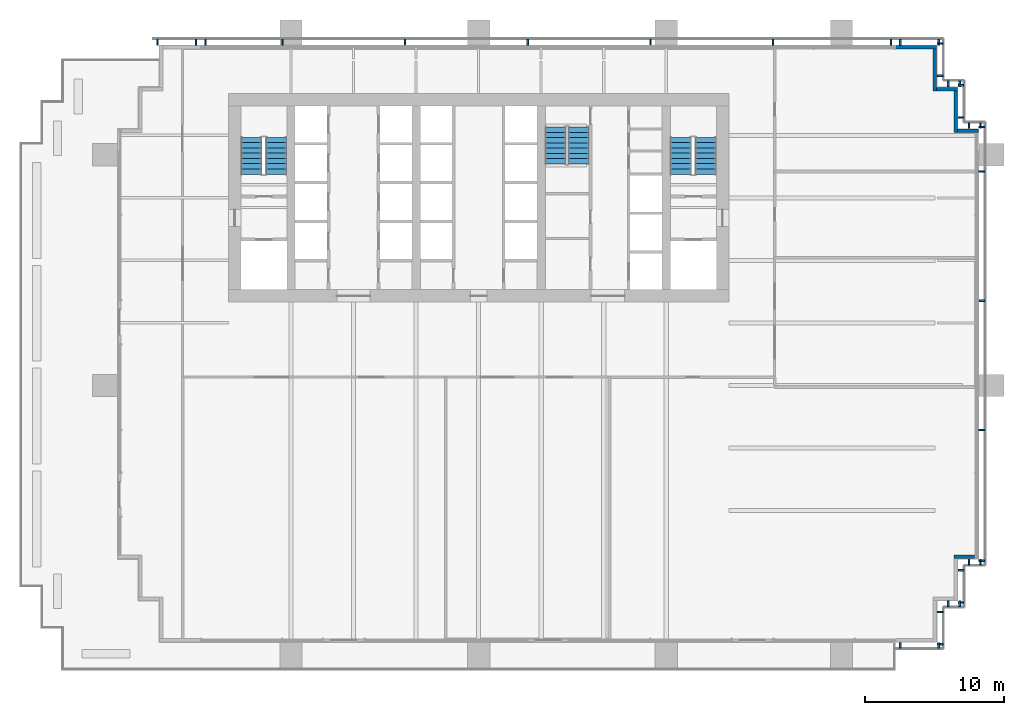
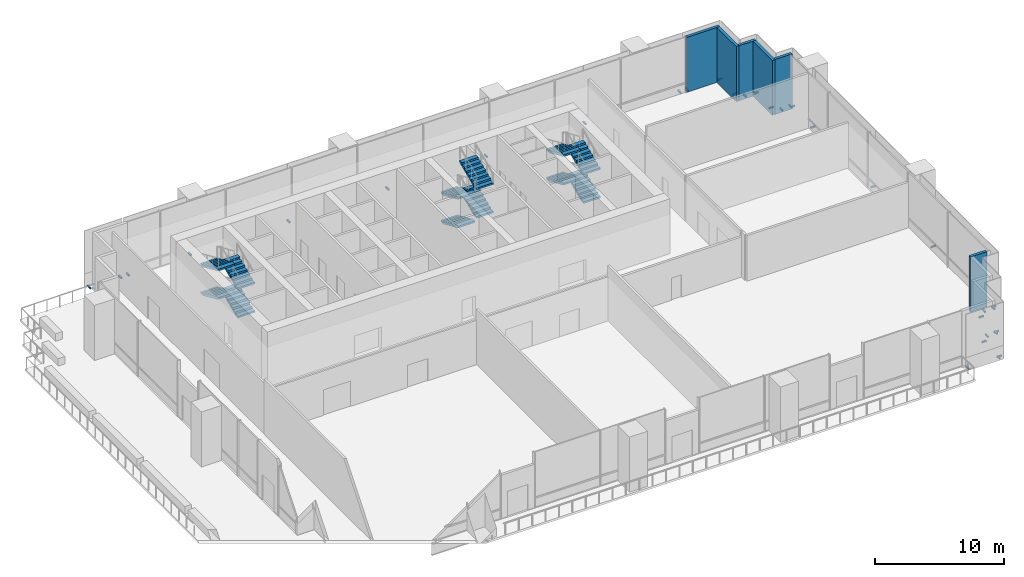
# One storey, part 10 of 15: 34 discrete accessories, 12 stair flights, 6 walls, 3 elements without a shape of their own.
"""IFC4 building model written with IfcOpenShell, lengths in metres."""

import ifcopenshell
import ifcopenshell.guid

model = None  # the IFC model being written
_history = None  # IfcOwnerHistory: only IFC2X3 demands one
_inside = {}  # id of a spatial element -> (the spatial element, [elements in it])
_under = {}  # id of a project, library or spatial element -> (it, [spatial elements below it])
_declared = {}  # id of a project -> (the project, [libraries it declares])
_typed = {}  # id of a type object -> (the type object, [elements of that type])
_made_of = {}  # id of a material, layer set ... -> (it, [elements and type objects made of it])


def new_model(schema):
    """Start an empty IFC model of exactly this schema.

    Asked for "IFC4X3", IfcOpenShell would pick the latest addendum, in which some entities
    have other attributes; the version numbers below select the first issue.
    IFC2X3 requires an IfcOwnerHistory on every rooted entity: one is made here for all.
    """
    global model, _history
    if schema == "IFC4X3":
        model = ifcopenshell.file(schema_version=(4, 3, 0, 0))
    else:
        model = ifcopenshell.file(schema=schema)
    _inside.clear()
    _under.clear()
    _declared.clear()
    _typed.clear()
    _made_of.clear()
    _history = None
    if model.schema == "IFC2X3":
        org = make("IfcOrganization", Name="unknown")
        user = make(
            "IfcPersonAndOrganization",
            ThePerson=make("IfcPerson", FamilyName="unknown"),
            TheOrganization=org,
        )
        app = make(
            "IfcApplication",
            ApplicationDeveloper=org,
            Version="unknown",
            ApplicationFullName="unknown",
            ApplicationIdentifier="unknown",
        )
        _history = make(
            "IfcOwnerHistory",
            OwningUser=user,
            OwningApplication=app,
            ChangeAction="ADDED",
            CreationDate=0,
        )
    return model


def make(cls, **values):
    """One entity of the class cls with the attributes given. An attribute that is None is left unset."""
    return model.create_entity(
        cls, **{name: value for name, value in values.items() if value is not None}
    )


def rooted(cls, **values):
    """An entity with a GlobalId (a new one), such as an element, a storey or a relation."""
    return make(cls, GlobalId=ifcopenshell.guid.new(), OwnerHistory=_history, **values)


def si_unit(unit_type, name, prefix=None):
    """IfcSIUnit, for example si_unit("LENGTHUNIT", "METRE", prefix="MILLI")."""
    return make("IfcSIUnit", UnitType=unit_type, Prefix=prefix, Name=name)


def assignment(units):
    """IfcUnitAssignment: the units of a project."""
    return None if units is None else make("IfcUnitAssignment", Units=units)


def point(xyz):
    """IfcCartesianPoint."""
    return None if xyz is None else make("IfcCartesianPoint", Coordinates=xyz)


def direction(xyz):
    """IfcDirection."""
    return None if xyz is None else make("IfcDirection", DirectionRatios=xyz)


def frame(location, z_axis=None, x_axis=None):
    """IfcAxis2Placement3D, a coordinate frame: its origin and axes. An axis left out is left unset."""
    return make(
        "IfcAxis2Placement3D",
        Location=point(location),
        Axis=direction(z_axis),
        RefDirection=direction(x_axis),
    )


def frame_2d(location, x_axis=None):
    """IfcAxis2Placement2D, a coordinate frame in the plane: its origin and x axis."""
    return make(
        "IfcAxis2Placement2D", Location=point(location), RefDirection=direction(x_axis)
    )


def origin():
    """The frame at (0, 0, 0) with its axes left unset."""
    return frame((0.0, 0.0, 0.0))


def origin_2d():
    """The frame at (0, 0) in the plane with its x axis left unset."""
    return frame_2d((0.0, 0.0))


def place(relative_to, where):
    """IfcLocalPlacement: puts the frame where relative to a parent placement (None: the world)."""
    return make(
        "IfcLocalPlacement", PlacementRelTo=relative_to, RelativePlacement=where
    )


def context(
    kind, dimensions, precision=None, world=None, true_north=None, identifier=None
):
    """IfcGeometricRepresentationContext, for example the 3D "Model" context."""
    return make(
        "IfcGeometricRepresentationContext",
        ContextIdentifier=identifier,
        ContextType=kind,
        CoordinateSpaceDimension=dimensions,
        Precision=precision,
        WorldCoordinateSystem=world,
        TrueNorth=true_north,
    )


def subcontext(parent, identifier, kind, view, scale=None):
    """IfcGeometricRepresentationSubContext, for example "Body" below "Model"."""
    return make(
        "IfcGeometricRepresentationSubContext",
        ContextIdentifier=identifier,
        ContextType=kind,
        ParentContext=parent,
        TargetScale=scale,
        TargetView=view,
    )


def project(units=None, contexts=None):
    """IfcProject with its units and contexts."""
    return rooted(
        "IfcProject",
        Name="project",
        RepresentationContexts=contexts,
        UnitsInContext=assignment(units),
    )


def spatial(cls, under=None, at=None, **own):
    """A site, building, storey or space (cls), placed at a placement, below another one or the project."""
    s = rooted(cls, ObjectPlacement=at, **own)
    if under is not None:
        _under.setdefault(under.id(), (under, []))[1].append(s)
    return s


def polyline(points):
    """IfcPolyline through the points."""
    return make("IfcPolyline", Points=[point(p) for p in points])


def profile(cls, at=None, kind="AREA", **sizes):
    """A parametric profile (cls). Its sizes go by their IFC names, for example OverallWidth=200.0."""
    return make(cls, ProfileType=kind, Position=at, **sizes)


def rectangle(**sizes):
    """IfcRectangleProfileDef."""
    return profile("IfcRectangleProfileDef", **sizes)


def outline(outer, holes=None, kind="AREA"):
    """IfcArbitraryClosedProfileDef: a profile drawn as a closed curve; with holes, ...WithVoids."""
    if holes is None:
        return make("IfcArbitraryClosedProfileDef", ProfileType=kind, OuterCurve=outer)
    return make(
        "IfcArbitraryProfileDefWithVoids",
        ProfileType=kind,
        OuterCurve=outer,
        InnerCurves=holes,
    )


def extrude(swept, where, along, depth):
    """IfcExtrudedAreaSolid: the profile swept, set in the frame where, extruded along a direction by depth."""
    return make(
        "IfcExtrudedAreaSolid",
        SweptArea=swept,
        Position=where,
        ExtrudedDirection=direction(along),
        Depth=depth,
    )


def shape(context_of_items, identifier, shape_type, items):
    """IfcShapeRepresentation: the items that make up one representation, for example the "Body"."""
    return make(
        "IfcShapeRepresentation",
        ContextOfItems=context_of_items,
        RepresentationIdentifier=identifier,
        RepresentationType=shape_type,
        Items=items,
    )


def material(Name=None, Category=None):
    """IfcMaterial."""
    return make("IfcMaterial", Name=Name, Category=Category)


def layer(
    of_material, thickness, ventilated=None, Name=None, Category=None, Priority=None
):
    """IfcMaterialLayer: one layer of a wall or slab, of a material (None: an air gap)."""
    return make(
        "IfcMaterialLayer",
        Material=of_material,
        LayerThickness=thickness,
        IsVentilated=ventilated,
        Name=Name,
        Category=Category,
        Priority=Priority,
    )


def layer_set(layers, Name=None):
    """IfcMaterialLayerSet."""
    return make("IfcMaterialLayerSet", MaterialLayers=layers, LayerSetName=Name)


def made_of(thing, what):
    """Note that an element or type object is made of a material, layer set ...; save() writes the relation."""
    if what is not None:
        _made_of.setdefault(what.id(), (what, []))[1].append(thing)
    return thing


def type_object(cls, material=None, **own):
    """A type object (cls), such as IfcWallType, which elements share."""
    return made_of(rooted(cls, **own), material)


def element(
    cls,
    number,
    at=None,
    inside=None,
    cuts=None,
    type_object=None,
    material=None,
    context=None,
    identifier="Body",
    shape_type=None,
    held_by="IfcProductDefinitionShape",
    body=None,
    shapes=None,
    **own,
):
    """One element of the class cls, such as IfcWall. Its Tag is "e" and its number.

    at: its placement. inside: the storey or other place that contains it. cuts: it is an
    opening in that element (IfcRelVoidsElement). A single representation is given by context,
    identifier, shape_type and body (its items); several are given by shapes. held_by: the class
    of the entity that holds the representations. save() writes the other relations.
    """
    e = rooted(cls, Tag="e%d" % number, ObjectPlacement=at, **own)
    if body is not None:
        shapes = [shape(context, identifier, shape_type, body)]
    if shapes is not None:
        e.Representation = make(held_by, Representations=shapes)
    if inside is not None:
        _inside.setdefault(inside.id(), (inside, []))[1].append(e)
    if cuts is not None:
        rooted(
            "IfcRelVoidsElement", RelatingBuildingElement=cuts, RelatedOpeningElement=e
        )
    if type_object is not None:
        _typed.setdefault(type_object.id(), (type_object, []))[1].append(e)
    return made_of(e, material)


def aggregate(whole, parts):
    """IfcRelAggregates: a whole, such as a stair, and the parts it consists of."""
    return rooted("IfcRelAggregates", RelatingObject=whole, RelatedObjects=parts)


def save(model, path):
    """Write the relations noted so far, then the file.

    IfcRelAggregates (storeys below a building ...), IfcRelContainedInSpatialStructure (elements
    in a storey), IfcRelDefinesByType, IfcRelAssociatesMaterial and IfcRelDeclares: one each for
    every whole, place, type object, material and project.
    """
    for whole, parts in _under.values():
        aggregate(whole, parts)
    for where, things in _inside.values():
        rooted(
            "IfcRelContainedInSpatialStructure",
            RelatedElements=things,
            RelatingStructure=where,
        )
    for kind, things in _typed.values():
        rooted("IfcRelDefinesByType", RelatedObjects=things, RelatingType=kind)
    for what, things in _made_of.values():
        rooted("IfcRelAssociatesMaterial", RelatedObjects=things, RelatingMaterial=what)
    for by, libraries in _declared.values():
        rooted("IfcRelDeclares", RelatingContext=by, RelatedDefinitions=libraries)
    model.write(path)


model = new_model("IFC4")

# Units and contexts
model_context = context("Model", 3, precision=1e-05, world=origin(), true_north=direction((0.0, 1.0)))
body_context = subcontext(model_context, "Body", "Model", "MODEL_VIEW")
ifc_project = project(units=[si_unit("LENGTHUNIT", "METRE"), si_unit("AREAUNIT", "SQUARE_METRE"), si_unit("VOLUMEUNIT", "CUBIC_METRE"), si_unit("PLANEANGLEUNIT", "RADIAN"), si_unit("MASSUNIT", "GRAM", prefix="KILO")], contexts=[model_context])

# Site, building, storey
site_placement = place(None, origin())
site = spatial("IfcSite", under=ifc_project, at=site_placement, CompositionType="ELEMENT")
building_placement = place(site_placement, origin())
building = spatial("IfcBuilding", under=site, at=building_placement, Name="Rattan Terrace Tower", CompositionType="ELEMENT")
storey_placement = place(building_placement, frame((0.0, 0.0, 74.300048828125)))
storey = spatial("IfcBuildingStorey", under=building, at=storey_placement, Name="L16", CompositionType="ELEMENT", Elevation=74.300048828125)

# Walls
ifc_material_1 = material(Name="Insulated aluminium-clad stud wall", Category="aluminium")
ifc_layer = layer(ifc_material_1, 0.25)
ifc_layer_set = layer_set([ifc_layer], Name="Facade Riser Wall 250")
wall_type = type_object("IfcWallType", Name="Facade Riser Wall 250", PredefinedType="SOLIDWALL", material=ifc_layer_set)
wall_1_placement = place(storey_placement, frame((34.205078125, -25.830078125, 0.0), z_axis=(0.0, 0.0, 1.0), x_axis=(1.0, 0.0, 0.0)))
element("IfcWall", 1, at=wall_1_placement, inside=storey, type_object=wall_type, Name="Riser wall L16-5", PredefinedType="SOLIDWALL", context=body_context, shape_type="SweptSolid", body=[
    extrude(rectangle(XDim=1.474853515625, YDim=0.25, at=frame_2d((0.7373046875, 0.0))), origin(), (0.0, 0.0, 1.0), 5.199951171875),
])
wall_2_placement = place(storey_placement, frame((35.97998046875, 4.830078125, 0.0), z_axis=(0.0, 0.0, 1.0), x_axis=(-1.0, 0.0, 0.0)))
element("IfcWall", 2, at=wall_2_placement, inside=storey, type_object=wall_type, Name="Riser wall L16-6", PredefinedType="SOLIDWALL", context=body_context, shape_type="SweptSolid", body=[
    extrude(rectangle(XDim=1.52490234375, YDim=0.25, at=frame_2d((0.762451171875, 0.0))), origin(), (0.0, 0.0, 1.0), 5.199951171875),
])
wall_3_placement = place(storey_placement, frame((34.330078125, 4.705078125, 0.0), z_axis=(0.0, 0.0, 1.0), x_axis=(0.0, 1.0, 0.0)))
element("IfcWall", 3, at=wall_3_placement, inside=storey, type_object=wall_type, Name="Riser wall L16-7", PredefinedType="SOLIDWALL", context=body_context, shape_type="SweptSolid", body=[
    extrude(rectangle(XDim=3.0, YDim=0.25, at=frame_2d((1.5, 0.0))), origin(), (0.0, 0.0, 1.0), 5.199951171875),
])
wall_4_placement = place(storey_placement, frame((34.455078125, 7.830078125, 0.0), z_axis=(0.0, 0.0, 1.0), x_axis=(-1.0, 0.0, 0.0)))
element("IfcWall", 4, at=wall_4_placement, inside=storey, type_object=wall_type, Name="Riser wall L16-8", PredefinedType="SOLIDWALL", context=body_context, shape_type="SweptSolid", body=[
    extrude(rectangle(XDim=1.5, YDim=0.25, at=frame_2d((0.75, 0.0))), origin(), (0.0, 0.0, 1.0), 5.199951171875),
])
wall_5_placement = place(storey_placement, frame((32.830078125, 7.705078125, 0.0), z_axis=(0.0, 0.0, 1.0), x_axis=(0.0, 1.0, 0.0)))
element("IfcWall", 5, at=wall_5_placement, inside=storey, type_object=wall_type, Name="Riser wall L16-9", PredefinedType="SOLIDWALL", context=body_context, shape_type="SweptSolid", body=[
    extrude(rectangle(XDim=3.0, YDim=0.25, at=frame_2d((1.5, 0.0))), origin(), (0.0, 0.0, 1.0), 5.199951171875),
])
wall_6_placement = place(storey_placement, frame((32.955078125, 10.830078125, 0.0), z_axis=(0.0, 0.0, 1.0), x_axis=(-1.0, 0.0, 0.0)))
element("IfcWall", 6, at=wall_6_placement, inside=storey, type_object=wall_type, Name="Riser wall L16-10", PredefinedType="SOLIDWALL", context=body_context, shape_type="SweptSolid", body=[
    extrude(rectangle(XDim=2.955078125, YDim=0.25, at=frame_2d((1.4775390625, 0.0))), origin(), (0.0, 0.0, 1.0), 5.199951171875),
])

# Stair, stair flights
ifc_material_2 = material(Name="Concrete C40/50", Category="concrete")
stair_type = type_object("IfcStairType", Name="Core exit stair 1500", PredefinedType="HALF_TURN_STAIR", material=ifc_material_2)
stair_1_placement = place(storey_placement, origin())
stair_1 = element("IfcStair", 7, at=stair_1_placement, inside=storey, type_object=stair_type, Name="L16 exit stair 1", PredefinedType="HALF_TURN_STAIR")
ifc_material_3 = material(Name="Concrete C40/50", Category="concrete")
stair_flight_type = type_object("IfcStairFlightType", Name="Core exit stair flight 1500", PredefinedType="STRAIGHT", material=ifc_material_3)
stair_flight_1_placement = place(storey_placement, frame((-14.550048828125, 1.699951171875, 0.0), z_axis=(0.0, 0.0, 1.0), x_axis=(0.0, 1.0, 0.0)))
stair_flight_1 = element("IfcStairFlight", 8, at=stair_flight_1_placement, type_object=stair_flight_type, Name="S1 flight 1", NumberOfRisers=8, NumberOfTreads=7, PredefinedType="STRAIGHT", RiserHeight=0.16875, TreadLength=0.38, context=body_context, shape_type="SweptSolid", body=[
    extrude(outline(polyline([(0.0, 0.0), (0.0, 0.168701171875), (0.3798828125, 0.168701171875), (0.3798828125, 0.33740234375), (0.760009765625, 0.33740234375), (0.760009765625, 0.50634765625), (1.139892578125, 0.50634765625), (1.139892578125, 0.675048828125), (1.52001953125, 0.675048828125), (1.52001953125, 0.84375), (1.89990234375, 0.84375), (1.89990234375, 1.012451171875), (2.280029296875, 1.012451171875), (2.280029296875, 1.18115234375), (2.659912109375, 1.18115234375), (2.659912109375, 1.35009765625), (2.659912109375, 1.017333984375), (0.369384765625, 0.0), (0.0, 0.0)])), frame((0.0, 0.75, 0.0), z_axis=(0.0, -1.0, 0.0), x_axis=(1.0, 0.0, 0.0)), (0.0, 0.0, 1.0), 1.5),
])
stair_flight_2_placement = place(storey_placement, frame((-16.35009765625, 4.360107421875, 1.349853515625), z_axis=(0.0, 0.0, 1.0), x_axis=(0.0, -1.0, 0.0)))
stair_flight_2 = element("IfcStairFlight", 9, at=stair_flight_2_placement, type_object=stair_flight_type, Name="S1 flight 2", NumberOfRisers=8, NumberOfTreads=7, PredefinedType="STRAIGHT", RiserHeight=0.16875, TreadLength=0.38, context=body_context, shape_type="SweptSolid", body=[
    extrude(outline(polyline([(0.0, 0.0), (0.0, 0.168701171875), (0.3798828125, 0.168701171875), (0.3798828125, 0.33740234375), (0.760009765625, 0.33740234375), (0.760009765625, 0.50634765625), (1.139892578125, 0.50634765625), (1.139892578125, 0.675048828125), (1.52001953125, 0.675048828125), (1.52001953125, 0.84375), (1.89990234375, 0.84375), (1.89990234375, 1.012451171875), (2.280029296875, 1.012451171875), (2.280029296875, 1.18115234375), (2.659912109375, 1.18115234375), (2.659912109375, 1.35009765625), (2.659912109375, 1.017333984375), (0.369384765625, 0.0), (0.0, 0.0)])), frame((0.0, 0.75, 0.0), z_axis=(0.0, -1.0, 0.0), x_axis=(1.0, 0.0, 0.0)), (0.0, 0.0, 1.0), 1.5),
])
stair_flight_3_placement = place(storey_placement, frame((-14.550048828125, 1.699951171875, 2.699951171875), z_axis=(0.0, 0.0, 1.0), x_axis=(0.0, 1.0, 0.0)))
stair_flight_3 = element("IfcStairFlight", 10, at=stair_flight_3_placement, type_object=stair_flight_type, Name="S1 flight 3", NumberOfRisers=8, NumberOfTreads=7, PredefinedType="STRAIGHT", RiserHeight=0.16875, TreadLength=0.38, context=body_context, shape_type="SweptSolid", body=[
    extrude(outline(polyline([(0.0, 0.0), (0.0, 0.168701171875), (0.3798828125, 0.168701171875), (0.3798828125, 0.33740234375), (0.760009765625, 0.33740234375), (0.760009765625, 0.50634765625), (1.139892578125, 0.50634765625), (1.139892578125, 0.675048828125), (1.52001953125, 0.675048828125), (1.52001953125, 0.84375), (1.89990234375, 0.84375), (1.89990234375, 1.012451171875), (2.280029296875, 1.012451171875), (2.280029296875, 1.18115234375), (2.659912109375, 1.18115234375), (2.659912109375, 1.35009765625), (2.659912109375, 1.017333984375), (0.369384765625, 0.0), (0.0, 0.0)])), frame((0.0, 0.75, 0.0), z_axis=(0.0, -1.0, 0.0), x_axis=(1.0, 0.0, 0.0)), (0.0, 0.0, 1.0), 1.5),
])
stair_flight_4_placement = place(storey_placement, frame((-16.35009765625, 4.360107421875, 4.050048828125), z_axis=(0.0, 0.0, 1.0), x_axis=(0.0, -1.0, 0.0)))
stair_flight_4 = element("IfcStairFlight", 11, at=stair_flight_4_placement, type_object=stair_flight_type, Name="S1 flight 4", NumberOfRisers=8, NumberOfTreads=7, PredefinedType="STRAIGHT", RiserHeight=0.16875, TreadLength=0.38, context=body_context, shape_type="SweptSolid", body=[
    extrude(outline(polyline([(0.0, 0.0), (0.0, 0.168701171875), (0.3798828125, 0.168701171875), (0.3798828125, 0.33740234375), (0.760009765625, 0.33740234375), (0.760009765625, 0.50634765625), (1.139892578125, 0.50634765625), (1.139892578125, 0.675048828125), (1.52001953125, 0.675048828125), (1.52001953125, 0.84375), (1.89990234375, 0.84375), (1.89990234375, 1.012451171875), (2.280029296875, 1.012451171875), (2.280029296875, 1.18115234375), (2.659912109375, 1.18115234375), (2.659912109375, 1.35009765625), (2.659912109375, 1.017333984375), (0.369384765625, 0.0), (0.0, 0.0)])), frame((0.0, 0.75, 0.0), z_axis=(0.0, -1.0, 0.0), x_axis=(1.0, 0.0, 0.0)), (0.0, 0.0, 1.0), 1.5),
])
aggregate(stair_1, [stair_flight_1, stair_flight_2, stair_flight_3, stair_flight_4])

stair_2_placement = place(storey_placement, origin())
stair_2 = element("IfcStair", 12, at=stair_2_placement, inside=storey, type_object=stair_type, Name="L16 exit stair 2", PredefinedType="HALF_TURN_STAIR")
stair_flight_5_placement = place(storey_placement, frame((16.35009765625, 1.699951171875, 0.0), z_axis=(0.0, 0.0, 1.0), x_axis=(0.0, 1.0, 0.0)))
stair_flight_5 = element("IfcStairFlight", 13, at=stair_flight_5_placement, type_object=stair_flight_type, Name="S2 flight 1", NumberOfRisers=8, NumberOfTreads=7, PredefinedType="STRAIGHT", RiserHeight=0.16875, TreadLength=0.38, context=body_context, shape_type="SweptSolid", body=[
    extrude(outline(polyline([(0.0, 0.0), (0.0, 0.168701171875), (0.3798828125, 0.168701171875), (0.3798828125, 0.33740234375), (0.760009765625, 0.33740234375), (0.760009765625, 0.50634765625), (1.139892578125, 0.50634765625), (1.139892578125, 0.675048828125), (1.52001953125, 0.675048828125), (1.52001953125, 0.84375), (1.89990234375, 0.84375), (1.89990234375, 1.012451171875), (2.280029296875, 1.012451171875), (2.280029296875, 1.18115234375), (2.659912109375, 1.18115234375), (2.659912109375, 1.35009765625), (2.659912109375, 1.017333984375), (0.369384765625, 0.0), (0.0, 0.0)])), frame((0.0, 0.75, 0.0), z_axis=(0.0, -1.0, 0.0), x_axis=(1.0, 0.0, 0.0)), (0.0, 0.0, 1.0), 1.5),
])
stair_flight_6_placement = place(storey_placement, frame((14.550048828125, 4.360107421875, 1.349853515625), z_axis=(0.0, 0.0, 1.0), x_axis=(0.0, -1.0, 0.0)))
stair_flight_6 = element("IfcStairFlight", 14, at=stair_flight_6_placement, type_object=stair_flight_type, Name="S2 flight 2", NumberOfRisers=8, NumberOfTreads=7, PredefinedType="STRAIGHT", RiserHeight=0.16875, TreadLength=0.38, context=body_context, shape_type="SweptSolid", body=[
    extrude(outline(polyline([(0.0, 0.0), (0.0, 0.168701171875), (0.3798828125, 0.168701171875), (0.3798828125, 0.33740234375), (0.760009765625, 0.33740234375), (0.760009765625, 0.50634765625), (1.139892578125, 0.50634765625), (1.139892578125, 0.675048828125), (1.52001953125, 0.675048828125), (1.52001953125, 0.84375), (1.89990234375, 0.84375), (1.89990234375, 1.012451171875), (2.280029296875, 1.012451171875), (2.280029296875, 1.18115234375), (2.659912109375, 1.18115234375), (2.659912109375, 1.35009765625), (2.659912109375, 1.017333984375), (0.369384765625, 0.0), (0.0, 0.0)])), frame((0.0, 0.75, 0.0), z_axis=(0.0, -1.0, 0.0), x_axis=(1.0, 0.0, 0.0)), (0.0, 0.0, 1.0), 1.5),
])
stair_flight_7_placement = place(storey_placement, frame((16.35009765625, 1.699951171875, 2.699951171875), z_axis=(0.0, 0.0, 1.0), x_axis=(0.0, 1.0, 0.0)))
stair_flight_7 = element("IfcStairFlight", 15, at=stair_flight_7_placement, type_object=stair_flight_type, Name="S2 flight 3", NumberOfRisers=8, NumberOfTreads=7, PredefinedType="STRAIGHT", RiserHeight=0.16875, TreadLength=0.38, context=body_context, shape_type="SweptSolid", body=[
    extrude(outline(polyline([(0.0, 0.0), (0.0, 0.168701171875), (0.3798828125, 0.168701171875), (0.3798828125, 0.33740234375), (0.760009765625, 0.33740234375), (0.760009765625, 0.50634765625), (1.139892578125, 0.50634765625), (1.139892578125, 0.675048828125), (1.52001953125, 0.675048828125), (1.52001953125, 0.84375), (1.89990234375, 0.84375), (1.89990234375, 1.012451171875), (2.280029296875, 1.012451171875), (2.280029296875, 1.18115234375), (2.659912109375, 1.18115234375), (2.659912109375, 1.35009765625), (2.659912109375, 1.017333984375), (0.369384765625, 0.0), (0.0, 0.0)])), frame((0.0, 0.75, 0.0), z_axis=(0.0, -1.0, 0.0), x_axis=(1.0, 0.0, 0.0)), (0.0, 0.0, 1.0), 1.5),
])
stair_flight_8_placement = place(storey_placement, frame((14.550048828125, 4.360107421875, 4.050048828125), z_axis=(0.0, 0.0, 1.0), x_axis=(0.0, -1.0, 0.0)))
stair_flight_8 = element("IfcStairFlight", 16, at=stair_flight_8_placement, type_object=stair_flight_type, Name="S2 flight 4", NumberOfRisers=8, NumberOfTreads=7, PredefinedType="STRAIGHT", RiserHeight=0.16875, TreadLength=0.38, context=body_context, shape_type="SweptSolid", body=[
    extrude(outline(polyline([(0.0, 0.0), (0.0, 0.168701171875), (0.3798828125, 0.168701171875), (0.3798828125, 0.33740234375), (0.760009765625, 0.33740234375), (0.760009765625, 0.50634765625), (1.139892578125, 0.50634765625), (1.139892578125, 0.675048828125), (1.52001953125, 0.675048828125), (1.52001953125, 0.84375), (1.89990234375, 0.84375), (1.89990234375, 1.012451171875), (2.280029296875, 1.012451171875), (2.280029296875, 1.18115234375), (2.659912109375, 1.18115234375), (2.659912109375, 1.35009765625), (2.659912109375, 1.017333984375), (0.369384765625, 0.0), (0.0, 0.0)])), frame((0.0, 0.75, 0.0), z_axis=(0.0, -1.0, 0.0), x_axis=(1.0, 0.0, 0.0)), (0.0, 0.0, 1.0), 1.5),
])
aggregate(stair_2, [stair_flight_5, stair_flight_6, stair_flight_7, stair_flight_8])

stair_3_placement = place(storey_placement, origin())
stair_3 = element("IfcStair", 17, at=stair_3_placement, inside=storey, type_object=stair_type, Name="L16 exit stair 3", PredefinedType="HALF_TURN_STAIR")
stair_flight_9_placement = place(storey_placement, frame((5.550048828125, 5.10009765625, 0.0), z_axis=(0.0, 0.0, 1.0), x_axis=(0.0, -1.0, 0.0)))
stair_flight_9 = element("IfcStairFlight", 18, at=stair_flight_9_placement, type_object=stair_flight_type, Name="S3 flight 1", NumberOfRisers=8, NumberOfTreads=7, PredefinedType="STRAIGHT", RiserHeight=0.16875, TreadLength=0.38, context=body_context, shape_type="SweptSolid", body=[
    extrude(outline(polyline([(0.0, 0.0), (0.0, 0.168701171875), (0.3798828125, 0.168701171875), (0.3798828125, 0.33740234375), (0.760009765625, 0.33740234375), (0.760009765625, 0.50634765625), (1.139892578125, 0.50634765625), (1.139892578125, 0.675048828125), (1.52001953125, 0.675048828125), (1.52001953125, 0.84375), (1.89990234375, 0.84375), (1.89990234375, 1.012451171875), (2.280029296875, 1.012451171875), (2.280029296875, 1.18115234375), (2.659912109375, 1.18115234375), (2.659912109375, 1.35009765625), (2.659912109375, 1.017333984375), (0.369384765625, 0.0), (0.0, 0.0)])), frame((0.0, 0.75, 0.0), z_axis=(0.0, -1.0, 0.0), x_axis=(1.0, 0.0, 0.0)), (0.0, 0.0, 1.0), 1.5),
])
stair_flight_10_placement = place(storey_placement, frame((7.199951171875, 2.43994140625, 1.349853515625), z_axis=(0.0, 0.0, 1.0), x_axis=(0.0, 1.0, 0.0)))
stair_flight_10 = element("IfcStairFlight", 19, at=stair_flight_10_placement, type_object=stair_flight_type, Name="S3 flight 2", NumberOfRisers=8, NumberOfTreads=7, PredefinedType="STRAIGHT", RiserHeight=0.16875, TreadLength=0.38, context=body_context, shape_type="SweptSolid", body=[
    extrude(outline(polyline([(0.0, 0.0), (0.0, 0.168701171875), (0.3798828125, 0.168701171875), (0.3798828125, 0.33740234375), (0.760009765625, 0.33740234375), (0.760009765625, 0.50634765625), (1.139892578125, 0.50634765625), (1.139892578125, 0.675048828125), (1.52001953125, 0.675048828125), (1.52001953125, 0.84375), (1.89990234375, 0.84375), (1.89990234375, 1.012451171875), (2.280029296875, 1.012451171875), (2.280029296875, 1.18115234375), (2.659912109375, 1.18115234375), (2.659912109375, 1.35009765625), (2.659912109375, 1.017333984375), (0.369384765625, 0.0), (0.0, 0.0)])), frame((0.0, 0.75, 0.0), z_axis=(0.0, -1.0, 0.0), x_axis=(1.0, 0.0, 0.0)), (0.0, 0.0, 1.0), 1.5),
])
stair_flight_11_placement = place(storey_placement, frame((5.550048828125, 5.10009765625, 2.699951171875), z_axis=(0.0, 0.0, 1.0), x_axis=(0.0, -1.0, 0.0)))
stair_flight_11 = element("IfcStairFlight", 20, at=stair_flight_11_placement, type_object=stair_flight_type, Name="S3 flight 3", NumberOfRisers=8, NumberOfTreads=7, PredefinedType="STRAIGHT", RiserHeight=0.16875, TreadLength=0.38, context=body_context, shape_type="SweptSolid", body=[
    extrude(outline(polyline([(0.0, 0.0), (0.0, 0.168701171875), (0.3798828125, 0.168701171875), (0.3798828125, 0.33740234375), (0.760009765625, 0.33740234375), (0.760009765625, 0.50634765625), (1.139892578125, 0.50634765625), (1.139892578125, 0.675048828125), (1.52001953125, 0.675048828125), (1.52001953125, 0.84375), (1.89990234375, 0.84375), (1.89990234375, 1.012451171875), (2.280029296875, 1.012451171875), (2.280029296875, 1.18115234375), (2.659912109375, 1.18115234375), (2.659912109375, 1.35009765625), (2.659912109375, 1.017333984375), (0.369384765625, 0.0), (0.0, 0.0)])), frame((0.0, 0.75, 0.0), z_axis=(0.0, -1.0, 0.0), x_axis=(1.0, 0.0, 0.0)), (0.0, 0.0, 1.0), 1.5),
])
stair_flight_12_placement = place(storey_placement, frame((7.199951171875, 2.43994140625, 4.050048828125), z_axis=(0.0, 0.0, 1.0), x_axis=(0.0, 1.0, 0.0)))
stair_flight_12 = element("IfcStairFlight", 21, at=stair_flight_12_placement, type_object=stair_flight_type, Name="S3 flight 4", NumberOfRisers=8, NumberOfTreads=7, PredefinedType="STRAIGHT", RiserHeight=0.16875, TreadLength=0.38, context=body_context, shape_type="SweptSolid", body=[
    extrude(outline(polyline([(0.0, 0.0), (0.0, 0.168701171875), (0.3798828125, 0.168701171875), (0.3798828125, 0.33740234375), (0.760009765625, 0.33740234375), (0.760009765625, 0.50634765625), (1.139892578125, 0.50634765625), (1.139892578125, 0.675048828125), (1.52001953125, 0.675048828125), (1.52001953125, 0.84375), (1.89990234375, 0.84375), (1.89990234375, 1.012451171875), (2.280029296875, 1.012451171875), (2.280029296875, 1.18115234375), (2.659912109375, 1.18115234375), (2.659912109375, 1.35009765625), (2.659912109375, 1.017333984375), (0.369384765625, 0.0), (0.0, 0.0)])), frame((0.0, 0.75, 0.0), z_axis=(0.0, -1.0, 0.0), x_axis=(1.0, 0.0, 0.0)), (0.0, 0.0, 1.0), 1.5),
])
aggregate(stair_3, [stair_flight_9, stair_flight_10, stair_flight_11, stair_flight_12])

# Discrete accessories
for number, where, z_axis, x_axis, name in (
    (22, (30.340087890625, -32.2099609375, -0.169921875), (0.0, 0.0, 1.0), (1.0, 0.0, 0.0), "Panel bracket L16-1"),
    (23, (33.110107421875, -32.2099609375, -0.169921875), (0.0, 0.0, 1.0), (1.0, 0.0, 0.0), "Panel bracket L16-2"),
    (24, (33.2099609375, -32.110107421875, -0.169921875), (0.0, 0.0, 1.0), (0.0, 1.0, 0.0), "Panel bracket L16-3"),
    (25, (33.2099609375, -29.7900390625, -0.169921875), (0.0, 0.0, 1.0), (0.0, 1.0, 0.0), "Panel bracket L16-4"),
    (26, (33.7900390625, -29.2099609375, -0.169921875), (0.0, 0.0, 1.0), (1.0, 0.0, 0.0), "Panel bracket L16-5"),
    (27, (34.610107421875, -29.2099609375, -0.169921875), (0.0, 0.0, 1.0), (1.0, 0.0, 0.0), "Panel bracket L16-6"),
    (28, (34.7099609375, -29.110107421875, -0.169921875), (0.0, 0.0, 1.0), (0.0, 1.0, 0.0), "Panel bracket L16-7"),
    (29, (34.7099609375, -26.7900390625, -0.169921875), (0.0, 0.0, 1.0), (0.0, 1.0, 0.0), "Panel bracket L16-8"),
    (30, (35.2900390625, -26.2099609375, -0.169921875), (0.0, 0.0, 1.0), (1.0, 0.0, 0.0), "Panel bracket L16-9"),
    (31, (36.110107421875, -26.2099609375, -0.169921875), (0.0, 0.0, 1.0), (1.0, 0.0, 0.0), "Panel bracket L16-10"),
    (32, (36.2099609375, -26.110107421875, -0.169921875), (0.0, 0.0, 1.0), (0.0, 1.0, 0.0), "Panel bracket L16-11"),
    (33, (36.2099609375, -16.699951171875, -0.169921875), (0.0, 0.0, 1.0), (0.0, 1.0, 0.0), "Panel bracket L16-12"),
    (34, (36.2099609375, -7.39990234375, -0.169921875), (0.0, 0.0, 1.0), (0.0, 1.0, 0.0), "Panel bracket L16-13"),
    (35, (36.2099609375, 1.89990234375, -0.169921875), (0.0, 0.0, 1.0), (0.0, 1.0, 0.0), "Panel bracket L16-14"),
    (36, (36.2099609375, 5.110107421875, -0.169921875), (0.0, 0.0, 1.0), (0.0, 1.0, 0.0), "Panel bracket L16-15"),
    (37, (36.110107421875, 5.2099609375, -0.169921875), (0.0, 0.0, 1.0), (-1.0, 0.0, 0.0), "Panel bracket L16-16"),
    (38, (35.2900390625, 5.2099609375, -0.169921875), (0.0, 0.0, 1.0), (-1.0, 0.0, 0.0), "Panel bracket L16-17"),
    (39, (34.7099609375, 5.7900390625, -0.169921875), (0.0, 0.0, 1.0), (0.0, 1.0, 0.0), "Panel bracket L16-18"),
    (40, (34.7099609375, 8.110107421875, -0.169921875), (0.0, 0.0, 1.0), (0.0, 1.0, 0.0), "Panel bracket L16-19"),
    (41, (34.610107421875, 8.2099609375, -0.169921875), (0.0, 0.0, 1.0), (-1.0, 0.0, 0.0), "Panel bracket L16-20"),
    (42, (33.7900390625, 8.2099609375, -0.169921875), (0.0, 0.0, 1.0), (-1.0, 0.0, 0.0), "Panel bracket L16-21"),
    (43, (33.2099609375, 8.7900390625, -0.169921875), (0.0, 0.0, 1.0), (0.0, 1.0, 0.0), "Panel bracket L16-22"),
    (44, (33.2099609375, 11.110107421875, -0.169921875), (0.0, 0.0, 1.0), (0.0, 1.0, 0.0), "Panel bracket L16-23"),
    (45, (33.110107421875, 11.2099609375, -0.169921875), (0.0, 0.0, 1.0), (-1.0, 0.0, 0.0), "Panel bracket L16-24"),
    (46, (30.340087890625, 11.2099609375, -0.169921875), (0.0, 0.0, 1.0), (-1.0, 0.0, 0.0), "Panel bracket L16-25"),
    (47, (29.659912109375, 11.2099609375, -0.169921875), (0.0, 0.0, 1.0), (-1.0, 0.0, 0.0), "Panel bracket L16-26"),
    (48, (21.177001953125, 11.2099609375, -0.169921875), (0.0, 0.0, 1.0), (-1.0, 0.0, 0.0), "Panel bracket L16-27"),
    (49, (12.35400390625, 11.2099609375, -0.169921875), (0.0, 0.0, 1.0), (-1.0, 0.0, 0.0), "Panel bracket L16-28"),
    (50, (3.531005859375, 11.2099609375, -0.169921875), (0.0, 0.0, 1.0), (-1.0, 0.0, 0.0), "Panel bracket L16-29"),
    (51, (-5.2919921875, 11.2099609375, -0.169921875), (0.0, 0.0, 1.0), (-1.0, 0.0, 0.0), "Panel bracket L16-30"),
    (52, (-14.114990234375, 11.2099609375, -0.169921875), (0.0, 0.0, 1.0), (-1.0, 0.0, 0.0), "Panel bracket L16-31"),
    (53, (-19.659912109375, 11.2099609375, -0.169921875), (0.0, 0.0, 1.0), (-1.0, 0.0, 0.0), "Panel bracket L16-32"),
    (54, (-20.340087890625, 11.2099609375, -0.169921875), (0.0, 0.0, 1.0), (-1.0, 0.0, 0.0), "Panel bracket L16-33"),
    (55, (-23.110107421875, 11.2099609375, -0.169921875), (0.0, 0.0, 1.0), (-1.0, 0.0, 0.0), "Panel bracket L16-34"),
):
    element("IfcDiscreteAccessory", number, at=place(storey_placement, frame(where, z_axis=z_axis, x_axis=x_axis)), inside=storey, Name=name, PredefinedType="BRACKET", context=body_context, shape_type="SweptSolid", body=[
        extrude(rectangle(XDim=0.1201171875, YDim=0.419921875, at=origin_2d()), origin(), (0.0, 0.0, 1.0), 0.139892578125),
    ])

save(model, "model.ifc")
